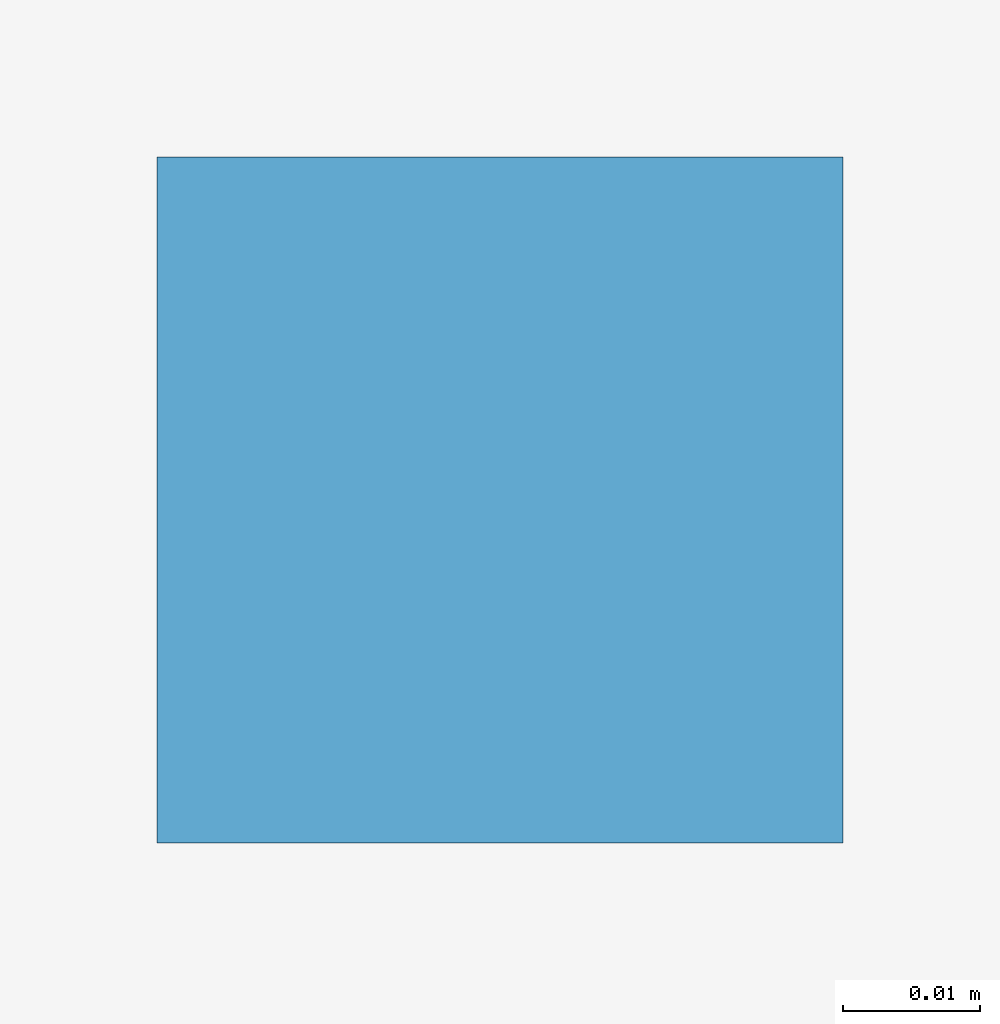
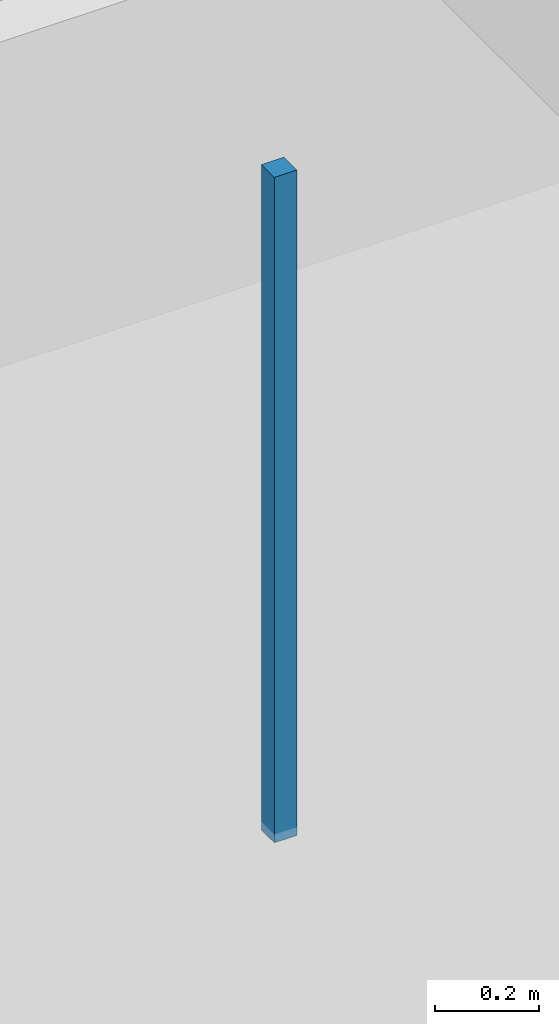
# One storey, part 47 of 56: 1 discrete accessory.
"""IFC4 building model written with IfcOpenShell, lengths in metres."""

from ifc_helpers import new_model, si_unit, direction, frame, origin, origin_2d, place, context, subcontext, project, spatial, rectangle, extrude, material, type_object, element, save


model = new_model("IFC4")

# Units and contexts
model_context = context("Model", 3, precision=1e-05, world=origin(), true_north=direction((0.0, 1.0)))
body_context = subcontext(model_context, "Body", "Model", "MODEL_VIEW")
ifc_project = project(units=[si_unit("LENGTHUNIT", "METRE"), si_unit("AREAUNIT", "SQUARE_METRE"), si_unit("VOLUMEUNIT", "CUBIC_METRE"), si_unit("PLANEANGLEUNIT", "RADIAN"), si_unit("MASSUNIT", "GRAM", prefix="KILO")], contexts=[model_context])

# Site, building, storey
site_placement = place(None, origin())
site = spatial("IfcSite", under=ifc_project, at=site_placement, CompositionType="ELEMENT")
building_placement = place(site_placement, origin())
building = spatial("IfcBuilding", under=site, at=building_placement, Name="Kazehaya Institute of Natural Sciences", CompositionType="ELEMENT")
storey_placement = place(building_placement, frame((0.0, 0.0, 28.800048828125)))
storey = spatial("IfcBuildingStorey", under=building, at=storey_placement, Name="L06", CompositionType="ELEMENT", Elevation=28.800048828125)

# Discrete accessory
ifc_material = material(Name="Structural steel SN490B", Category="steel")
discrete_accessory_type = type_object("IfcDiscreteAccessoryType", Name="ACC-CLG-HGR", PredefinedType="BRACKET", material=ifc_material)
discrete_accessory_placement = place(storey_placement, frame((96.300048828125, 88.675048828125, 2.8525390625), z_axis=(0.0, 0.0, 1.0), x_axis=(1.0, 0.0, 0.0)))
element("IfcDiscreteAccessory", 1, at=discrete_accessory_placement, inside=storey, type_object=discrete_accessory_type, Name="L06 ceiling suspension hanger 63", PredefinedType="BRACKET", context=body_context, shape_type="SweptSolid", body=[
    extrude(rectangle(XDim=0.050048828125, YDim=0.050048828125, at=origin_2d()), origin(), (0.0, 0.0, 1.0), 1.5673828125),
])

save(model, "model.ifc")
